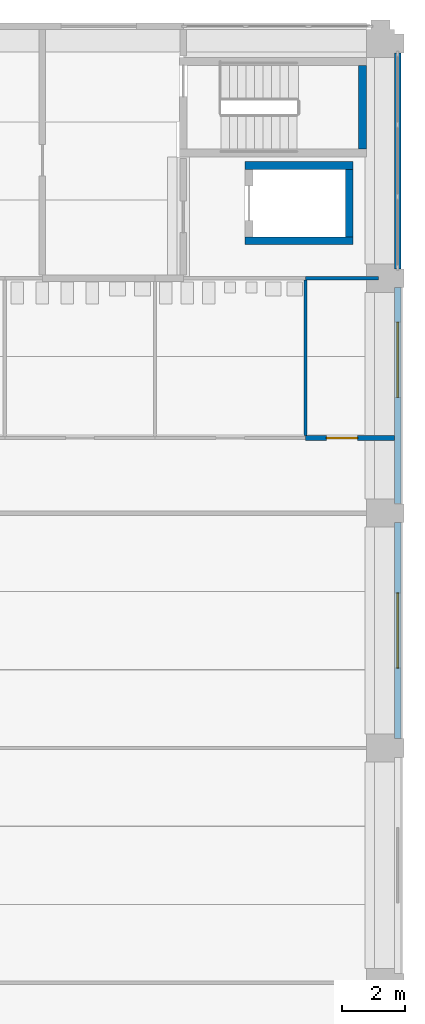
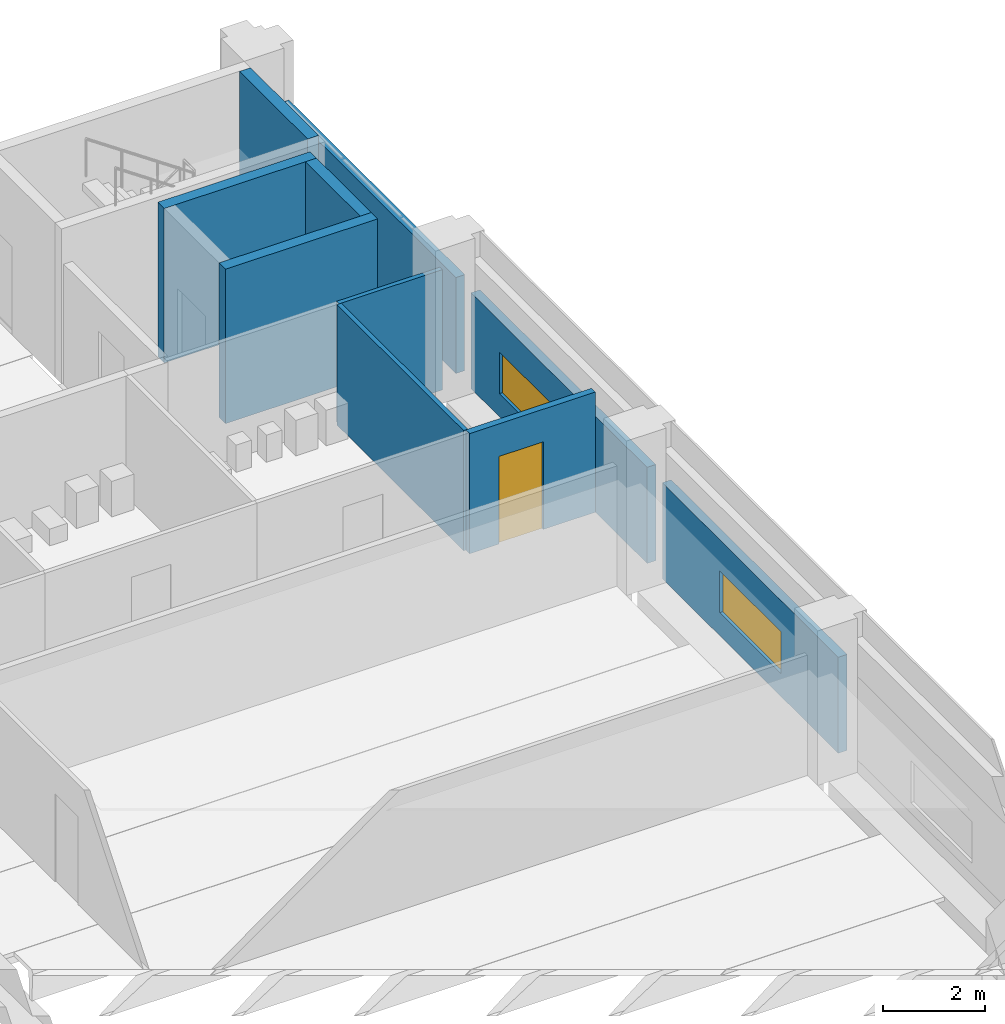
# One storey, part 35 of 57: 10 walls, 2 windows, 1 door, 3 openings.
"""IFC4 building model written with IfcOpenShell, lengths in metres."""

from ifc_helpers import new_model, si_unit, direction, frame, frame_2d, origin, place, context, subcontext, project, spatial, rectangle, extrude, material, layer, layer_set, type_object, element, fill, save


model = new_model("IFC4")

# Units and contexts
model_context = context("Model", 3, precision=1e-05, world=origin(), true_north=direction((0.0, 1.0)))
body_context = subcontext(model_context, "Body", "Model", "MODEL_VIEW")
ifc_project = project(units=[si_unit("LENGTHUNIT", "METRE"), si_unit("AREAUNIT", "SQUARE_METRE"), si_unit("VOLUMEUNIT", "CUBIC_METRE"), si_unit("PLANEANGLEUNIT", "RADIAN"), si_unit("MASSUNIT", "GRAM", prefix="KILO")], contexts=[model_context])

# Site, building, storey
site_placement = place(None, origin())
site = spatial("IfcSite", under=ifc_project, at=site_placement, CompositionType="ELEMENT")
building_placement = place(site_placement, origin())
building = spatial("IfcBuilding", under=site, at=building_placement, Name="Cour d'Honneur Mobility Palace", CompositionType="ELEMENT")
storey_placement = place(building_placement, frame((0.0, 0.0, 8.199951171875)))
storey = spatial("IfcBuildingStorey", under=building, at=storey_placement, Name="L02", CompositionType="ELEMENT", Elevation=8.199951171875)

# Walls
ifc_material_1 = material(Name="Concrete C50", Category="concrete")
ifc_layer_1 = layer(ifc_material_1, 0.25)
ifc_layer_set_1 = layer_set([ifc_layer_1], Name="Concrete C50")
wall_type_1 = type_object("IfcWallType", Name="Lift shaft wall 250", PredefinedType="SHEAR", material=ifc_layer_set_1)
for number, where, z_axis, x_axis, name in (
    (1, (157.97509765625, 108.60009765625, 0.0), (0.0, 0.0, 1.0), (1.0, 0.0, 0.0), "Lift shaft wall WL-NE1 L02"),
    (2, (157.97509765625, 111.0, 0.0), (0.0, 0.0, 1.0), (1.0, 0.0, 0.0), "Lift shaft wall WL-NE2 L02"),
):
    element("IfcWall", number, at=place(storey_placement, frame(where, z_axis=z_axis, x_axis=x_axis)), inside=storey, type_object=wall_type_1, Name=name, PredefinedType="SHEAR", context=body_context, shape_type="SweptSolid", body=[
        extrude(rectangle(XDim=3.449951171875, YDim=0.25, at=frame_2d((1.72509765625, 0.0))), origin(), (0.0, 0.0, 1.0), 3.699951171875),
    ])
wall_1_placement = place(storey_placement, frame((161.300048828125, 108.72509765625, 0.0), z_axis=(0.0, 0.0, 1.0), x_axis=(0.0, 1.0, 0.0)))
element("IfcWall", 3, at=wall_1_placement, inside=storey, type_object=wall_type_1, Name="Lift shaft wall WL-NE7 L02", PredefinedType="SHEAR", context=body_context, shape_type="SweptSolid", body=[
    extrude(rectangle(XDim=2.14990234375, YDim=0.25, at=frame_2d((1.074951171875, 0.0))), origin(), (0.0, 0.0, 1.0), 3.699951171875),
])
ifc_material_2 = material(Name="Gypsum plasterboard")
ifc_layer_2 = layer(ifc_material_2, 0.10009765625)
ifc_layer_set_2 = layer_set([ifc_layer_2], Name="Gypsum plasterboard")
wall_type_2 = type_object("IfcWallType", Name="Partition 100", PredefinedType="PARTITIONING", material=ifc_layer_set_2)
wall_2_placement = place(storey_placement, frame((159.89990234375, 107.35009765625, 0.0), z_axis=(0.0, 0.0, 1.0), x_axis=(0.0, -1.0, 0.0)))
element("IfcWall", 4, at=wall_2_placement, inside=storey, type_object=wall_type_2, Name="Partition 082", PredefinedType="PARTITIONING", context=body_context, shape_type="SweptSolid", body=[
    extrude(rectangle(XDim=4.97509765625, YDim=0.10009765625, at=frame_2d((2.487548828125, 0.0))), origin(), (0.0, 0.0, 1.0), 2.880126953125),
])
wall_3_placement = place(storey_placement, frame((162.239990234375, 107.39990234375, 0.0), z_axis=(0.0, 0.0, 1.0), x_axis=(-1.0, 0.0, 0.0)))
element("IfcWall", 5, at=wall_3_placement, inside=storey, type_object=wall_type_2, Name="Partition 084", PredefinedType="PARTITIONING", context=body_context, shape_type="SweptSolid", body=[
    extrude(rectangle(XDim=2.340087890625, YDim=0.10009765625, at=frame_2d((1.169921875, 0.0))), origin(), (0.0, 0.0, 1.0), 2.880126953125),
])

# Wall, opening, door
ifc_material_3 = material(Name="Gypsum plasterboard")
ifc_layer_3 = layer(ifc_material_3, 0.14990234375)
ifc_layer_set_3 = layer_set([ifc_layer_3], Name="Gypsum plasterboard")
wall_type_3 = type_object("IfcWallType", Name="Partition 150 rated EI 60", PredefinedType="PARTITIONING", material=ifc_layer_set_3)
wall_4_placement = place(storey_placement, frame((162.75, 102.300048828125, 0.0), z_axis=(0.0, 0.0, 1.0), x_axis=(-1.0, 0.0, 0.0)))
wall_4 = element("IfcWall", 6, at=wall_4_placement, inside=storey, type_object=wall_type_3, Name="Partition 066", PredefinedType="PARTITIONING", context=body_context, shape_type="SweptSolid", body=[
    extrude(rectangle(XDim=2.85009765625, YDim=0.14990234375, at=frame_2d((1.425048828125, 0.0))), origin(), (0.0, 0.0, 1.0), 2.880126953125),
])
opening_1_placement = place(wall_4_placement, frame((1.179931640625, 0.0, 0.0)))
opening_1 = element("IfcOpeningElement", 7, at=opening_1_placement, cuts=wall_4, Name="Opening D0224", PredefinedType="OPENING", context=body_context, shape_type="SweptSolid", body=[
    extrude(rectangle(XDim=1.0, YDim=2.10009765625, at=frame_2d((0.5, 1.050048828125))), frame((0.0, 0.0849609375, 0.0), z_axis=(0.0, -1.0, 0.0), x_axis=(1.0, 0.0, 0.0)), (0.0, 0.0, 1.0), 0.169921875),
])
ifc_material_4 = material(Name="Galvanised steel", Category="steel")
door_type = type_object("IfcDoorType", Name="Fire door FD60 1000 x 2100", OperationType="SINGLE_SWING_LEFT", PredefinedType="DOOR", material=ifc_material_4)
door_placement = place(opening_1_placement, origin())
door = element("IfcDoor", 8, at=door_placement, inside=storey, type_object=door_type, Name="Door Cleaner's Store East", OperationType="SINGLE_SWING_RIGHT", OverallHeight=2.10009765625, OverallWidth=1.0, PredefinedType="DOOR", context=body_context, shape_type="SweptSolid", body=[
    extrude(rectangle(XDim=1.0, YDim=2.10009765625, at=frame_2d((0.5, 1.050048828125))), frame((0.0, 0.02490234375, 0.0), z_axis=(0.0, -1.0, 0.0), x_axis=(1.0, 0.0, 0.0)), (0.0, 0.0, 1.0), 0.050048828125),
])
fill(opening_1, door)

# Wall, opening, window
ifc_material_5 = material(Name="Concrete C40", Category="concrete")
ifc_layer_4 = layer(ifc_material_5, 0.199951171875)
ifc_layer_set_4 = layer_set([ifc_layer_4], Name="Concrete C40")
wall_type_4 = type_object("IfcWallType", Name="Spandrel panel", PredefinedType="SOLIDWALL", material=ifc_layer_set_4)
wall_5_placement = place(storey_placement, frame((162.85009765625, 92.699951171875, 0.0), z_axis=(0.0, 0.0, 1.0), x_axis=(0.0, 1.0, 0.0)))
wall_5 = element("IfcWall", 9, at=wall_5_placement, inside=storey, type_object=wall_type_4, Name="Spandrel panel SW-45", PredefinedType="SOLIDWALL", context=body_context, shape_type="SweptSolid", body=[
    extrude(rectangle(XDim=6.900146484375, YDim=0.199951171875, at=frame_2d((3.4501953125, 0.0))), origin(), (0.0, 0.0, 1.0), 2.300048828125),
])
opening_2_placement = place(wall_5_placement, frame((2.25, 0.0, 0.550048828125)))
opening_2 = element("IfcOpeningElement", 10, at=opening_2_placement, cuts=wall_5, Name="Opening W2-45", PredefinedType="OPENING", context=body_context, shape_type="SweptSolid", body=[
    extrude(rectangle(XDim=2.39990234375, YDim=1.0, at=frame_2d((1.199951171875, 0.5))), frame((0.0, 0.10986328125, 0.0), z_axis=(0.0, -1.0, 0.0), x_axis=(1.0, 0.0, 0.0)), (0.0, 0.0, 1.0), 0.219970703125),
])
ifc_material_6 = material(Name="Aluminium frame and glass", Category="aluminium")
window_type = type_object("IfcWindowType", Name="Gallery window W2", PartitioningType="TRIPLE_PANEL_VERTICAL", PredefinedType="WINDOW", material=ifc_material_6)
window_1_placement = place(opening_2_placement, origin())
window_1 = element("IfcWindow", 11, at=window_1_placement, inside=storey, type_object=window_type, Name="Gallery window W2 W2-45", OverallHeight=1.0, OverallWidth=2.39990234375, PartitioningType="SINGLE_PANEL", PredefinedType="WINDOW", context=body_context, shape_type="SweptSolid", body=[
    extrude(rectangle(XDim=2.39990234375, YDim=1.0, at=frame_2d((1.199951171875, 0.5))), frame((0.0, 0.030029296875, 0.0), z_axis=(0.0, -1.0, 0.0), x_axis=(1.0, 0.0, 0.0)), (0.0, 0.0, 1.0), 0.06005859375),
])
fill(opening_2, window_1)

wall_6_placement = place(storey_placement, frame((162.85009765625, 100.199951171875, 0.0), z_axis=(0.0, 0.0, 1.0), x_axis=(0.0, 1.0, 0.0)))
wall_6 = element("IfcWall", 12, at=wall_6_placement, inside=storey, type_object=wall_type_4, Name="Spandrel panel SW-46", PredefinedType="SOLIDWALL", context=body_context, shape_type="SweptSolid", body=[
    extrude(rectangle(XDim=6.900146484375, YDim=0.199951171875, at=frame_2d((3.4501953125, 0.0))), origin(), (0.0, 0.0, 1.0), 2.300048828125),
])
opening_3_placement = place(wall_6_placement, frame((3.39990234375, 0.0, 0.550048828125)))
opening_3 = element("IfcOpeningElement", 13, at=opening_3_placement, cuts=wall_6, Name="Opening W2-46", PredefinedType="OPENING", context=body_context, shape_type="SweptSolid", body=[
    extrude(rectangle(XDim=2.39990234375, YDim=1.0, at=frame_2d((1.199951171875, 0.5))), frame((0.0, 0.10986328125, 0.0), z_axis=(0.0, -1.0, 0.0), x_axis=(1.0, 0.0, 0.0)), (0.0, 0.0, 1.0), 0.219970703125),
])
window_2_placement = place(opening_3_placement, origin())
window_2 = element("IfcWindow", 14, at=window_2_placement, inside=storey, type_object=window_type, Name="Gallery window W2 W2-46", OverallHeight=1.0, OverallWidth=2.39990234375, PartitioningType="SINGLE_PANEL", PredefinedType="WINDOW", context=body_context, shape_type="SweptSolid", body=[
    extrude(rectangle(XDim=2.39990234375, YDim=1.0, at=frame_2d((1.199951171875, 0.5))), frame((0.0, 0.030029296875, 0.0), z_axis=(0.0, -1.0, 0.0), x_axis=(1.0, 0.0, 0.0)), (0.0, 0.0, 1.0), 0.06005859375),
])
fill(opening_3, window_2)

# Walls
wall_7_placement = place(storey_placement, frame((162.85009765625, 107.699951171875, 0.0), z_axis=(0.0, 0.0, 1.0), x_axis=(0.0, 1.0, 0.0)))
element("IfcWall", 15, at=wall_7_placement, inside=storey, type_object=wall_type_4, Name="Spandrel panel SW-47", PredefinedType="SOLIDWALL", context=body_context, shape_type="SweptSolid", body=[
    extrude(rectangle(XDim=6.900146484375, YDim=0.199951171875, at=frame_2d((3.4501953125, 0.0))), origin(), (0.0, 0.0, 1.0), 2.300048828125),
])
ifc_material_7 = material(Name="Concrete C50", Category="concrete")
ifc_layer_5 = layer(ifc_material_7, 0.25)
ifc_layer_set_5 = layer_set([ifc_layer_5], Name="Concrete C50")
wall_type_5 = type_object("IfcWallType", Name="Stair wall 250", PredefinedType="SHEAR", material=ifc_layer_set_5)
wall_8_placement = place(storey_placement, frame((161.72509765625, 111.52490234375, 0.0), z_axis=(0.0, 0.0, 1.0), x_axis=(0.0, 1.0, 0.0)))
element("IfcWall", 16, at=wall_8_placement, inside=storey, type_object=wall_type_5, Name="Stair wall WS-NE8 L02", PredefinedType="SHEAR", context=body_context, shape_type="SweptSolid", body=[
    extrude(rectangle(XDim=2.675048828125, YDim=0.25, at=frame_2d((1.33740234375, 0.0))), origin(), (0.0, 0.0, 1.0), 3.699951171875),
])

save(model, "model.ifc")
